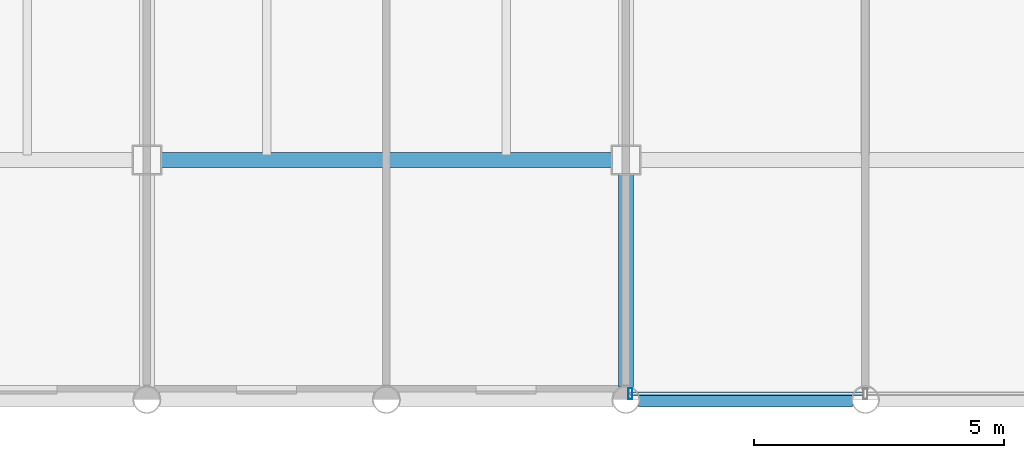
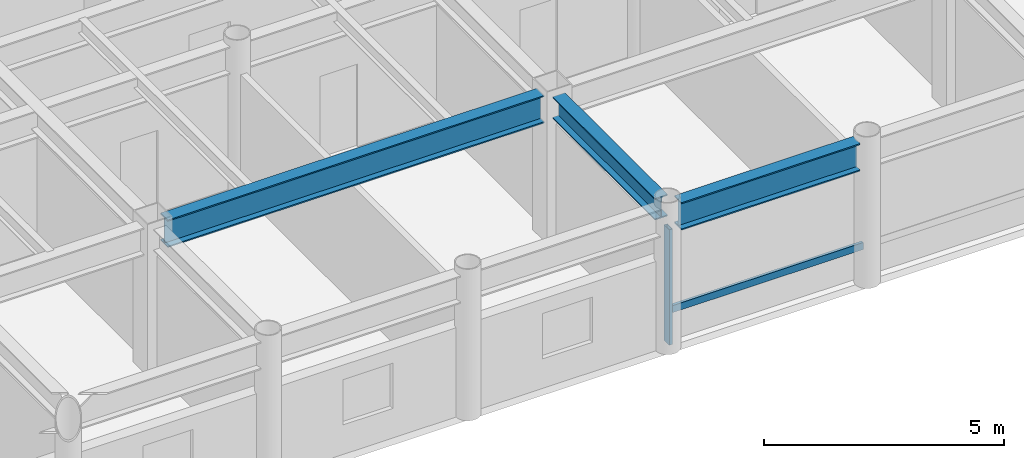
# One storey, part 4 of 22: 3 beams, 2 members, 1 element without a shape of its own.
"""IFC4 building model written with IfcOpenShell, lengths in metres."""

from ifc_helpers import new_model, si_unit, direction, frame, origin, origin_2d, place, context, subcontext, project, spatial, hollow_rectangle, i_section, extrude, material, layer, layer_set, material_profile, profile_set, type_object, element, aggregate, save


model = new_model("IFC4")

# Units and contexts
model_context = context("Model", 3, precision=1e-05, world=origin(), true_north=direction((0.0, 1.0)))
body_context = subcontext(model_context, "Body", "Model", "MODEL_VIEW")
ifc_project = project(units=[si_unit("LENGTHUNIT", "METRE"), si_unit("AREAUNIT", "SQUARE_METRE"), si_unit("VOLUMEUNIT", "CUBIC_METRE"), si_unit("PLANEANGLEUNIT", "RADIAN"), si_unit("MASSUNIT", "GRAM", prefix="KILO")], contexts=[model_context])

# Site, building, storey
site_placement = place(None, origin())
site = spatial("IfcSite", under=ifc_project, at=site_placement, CompositionType="ELEMENT")
building_placement = place(site_placement, origin())
building = spatial("IfcBuilding", under=site, at=building_placement, Name="Kallvorn Hotel Tower", CompositionType="ELEMENT")
storey_placement = place(building_placement, frame((0.0, 0.0, 256.949951171875)))
storey = spatial("IfcBuildingStorey", under=building, at=storey_placement, Name="L64", CompositionType="ELEMENT", Elevation=256.949951171875)

# Beams
ifc_material_1 = material(Name="Structural steel S355JR", Category="steel")
ifc_material_profile_1 = material_profile(ifc_material_1, i_section(OverallWidth=0.300048828125, OverallDepth=0.550048828125, WebThickness=0.014892578125, FlangeThickness=0.029052734375, at=origin_2d()), Name="HE 550 B")
ifc_profile_set_1 = profile_set([ifc_material_profile_1], Name="Structural steel S355JR")
beam_type_1 = type_object("IfcBeamType", Name="BM_HE550B", PredefinedType="SPANDREL", material=ifc_profile_set_1)
beam_1_placement = place(storey_placement, frame((-4.800048828125, -18.945556640625, 3.39501953125), z_axis=(0.0, 1.0, 0.0), x_axis=(-1.0, 0.0, 0.0)))
element("IfcBeam", 1, at=beam_1_placement, inside=storey, type_object=beam_type_1, Name="L65 Primary Y-Girder 106", PredefinedType="SPANDREL", context=body_context, shape_type="SweptSolid", body=[
    extrude(i_section(OverallWidth=0.300048828125, OverallDepth=0.550048828125, WebThickness=0.014892578125, FlangeThickness=0.029052734375, at=origin_2d()), origin(), (0.0, 0.0, 1.0), 4.2705078125),
])
ifc_material_2 = material(Name="Structural steel S355JR", Category="steel")
ifc_material_profile_2 = material_profile(ifc_material_2, i_section(OverallWidth=0.300048828125, OverallDepth=0.699951171875, WebThickness=0.01708984375, FlangeThickness=0.031982421875, at=origin_2d()), Name="HE 700 B")
ifc_profile_set_2 = profile_set([ifc_material_profile_2], Name="Structural steel S355JR")
beam_type_2 = type_object("IfcBeamType", Name="BM_HE700B", PredefinedType="BEAM", material=ifc_profile_set_2)
beam_2_placement = place(storey_placement, frame((-4.54541015625, -19.199951171875, 3.320068359375), z_axis=(1.0, 0.0, 0.0), x_axis=(0.0, 1.0, 0.0)))
element("IfcBeam", 2, at=beam_2_placement, inside=storey, type_object=beam_type_2, Name="L65 Primary X-Girder 06", PredefinedType="BEAM", context=body_context, shape_type="SweptSolid", body=[
    extrude(i_section(OverallWidth=0.300048828125, OverallDepth=0.699951171875, WebThickness=0.01708984375, FlangeThickness=0.031982421875, at=origin_2d()), origin(), (0.0, 0.0, 1.0), 4.291015625),
])
beam_3_placement = place(storey_placement, frame((-14.125, -14.39990234375, 3.320068359375), z_axis=(1.0, 0.0, 0.0), x_axis=(0.0, 1.0, 0.0)))
element("IfcBeam", 3, at=beam_3_placement, inside=storey, type_object=beam_type_2, Name="L65 Primary X-Girder 17", PredefinedType="BEAM", context=body_context, shape_type="SweptSolid", body=[
    extrude(i_section(OverallWidth=0.300048828125, OverallDepth=0.699951171875, WebThickness=0.01708984375, FlangeThickness=0.031982421875, at=origin_2d()), origin(), (0.0, 0.0, 1.0), 9.050048828125),
])

# Curtain wall, members
ifc_material_3 = material(Name="Thermally broken black-anodised aluminium AA 6063-T6", Category="aluminium")
ifc_layer = layer(ifc_material_3, 0.22998046875)
ifc_layer_set = layer_set([ifc_layer], Name="CW_SYS_5_HOTEL_HIGH")
curtain_wall_type = type_object("IfcCurtainWallType", Name="CW_SYS_5_HOTEL_HIGH", PredefinedType="USERDEFINED", material=ifc_layer_set)
curtain_wall_placement = place(storey_placement, origin())
curtain_wall = element("IfcCurtainWall", 4, at=curtain_wall_placement, inside=storey, type_object=curtain_wall_type, Name="L64 Dark-Glass Curtain Wall CW-L64-SC", ObjectType="UNITISED CURTAIN WALL", PredefinedType="USERDEFINED")
ifc_material_4 = material(Name="Thermally broken black-anodised aluminium AA 6063-T6", Category="aluminium")
ifc_material_profile_3 = material_profile(ifc_material_4, hollow_rectangle(XDim=0.080078125, YDim=0.219970703125, WallThickness=0.0048828125, at=origin_2d()), Name="MUL 220x80")
ifc_profile_set_3 = profile_set([ifc_material_profile_3], Name="Thermally broken black-anodised aluminium AA 6063-T6")
member_type_1 = type_object("IfcMemberType", Name="CW_MULLION_220x80", PredefinedType="MULLION", material=ifc_profile_set_3)
member_1_placement = place(storey_placement, frame((-4.7099609375, -19.080078125, 0.02001953125), z_axis=(0.0, 0.0, 1.0), x_axis=(1.0, 0.0, 0.0)))
member_1 = element("IfcMember", 5, at=member_1_placement, type_object=member_type_1, Name="CW-L64-SC Mullion 00", PredefinedType="MULLION", context=body_context, shape_type="SweptSolid", body=[
    extrude(hollow_rectangle(XDim=0.080078125, YDim=0.219970703125, WallThickness=0.0048828125, at=origin_2d()), origin(), (0.0, 0.0, 1.0), 2.929931640625),
])
ifc_material_5 = material(Name="Thermally broken black-anodised aluminium AA 6063-T6", Category="aluminium")
ifc_material_profile_4 = material_profile(ifc_material_5, hollow_rectangle(XDim=0.070068359375, YDim=0.179931640625, WallThickness=0.00390625, at=origin_2d()), Name="TRN 180x70")
ifc_profile_set_4 = profile_set([ifc_material_profile_4], Name="Thermally broken black-anodised aluminium AA 6063-T6")
member_type_2 = type_object("IfcMemberType", Name="CW_TRANSOM_180x70", PredefinedType="USERDEFINED", material=ifc_profile_set_4)
member_2_placement = place(storey_placement, frame((-4.7099609375, -19.080078125, 0.85009765625), z_axis=(1.0, 0.0, 0.0), x_axis=(0.0, 1.0, 0.0)))
member_2 = element("IfcMember", 6, at=member_2_placement, type_object=member_type_2, Name="CW-L64-SC Transom 00M", ObjectType="TRANSOM", PredefinedType="USERDEFINED", context=body_context, shape_type="SweptSolid", body=[
    extrude(hollow_rectangle(XDim=0.070068359375, YDim=0.179931640625, WallThickness=0.00390625, at=origin_2d()), origin(), (0.0, 0.0, 1.0), 4.669921875),
])
aggregate(curtain_wall, [member_1, member_2])

save(model, "model.ifc")
